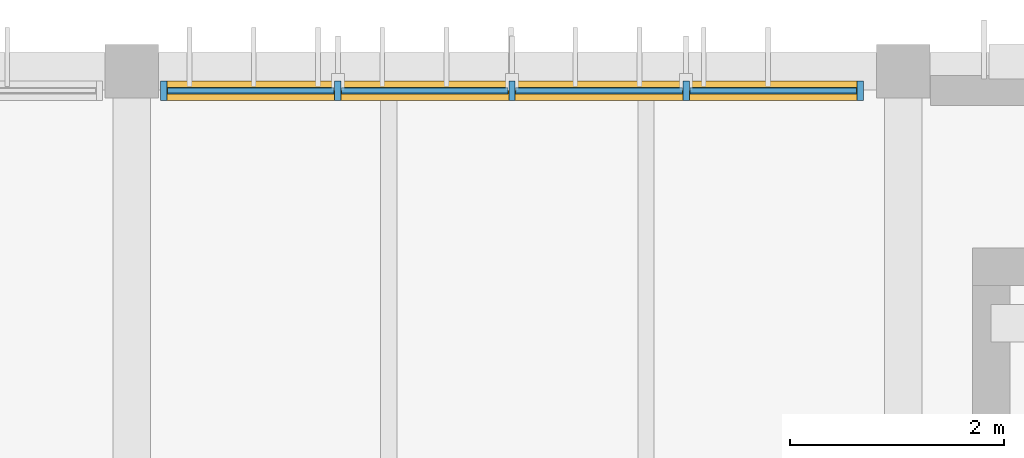
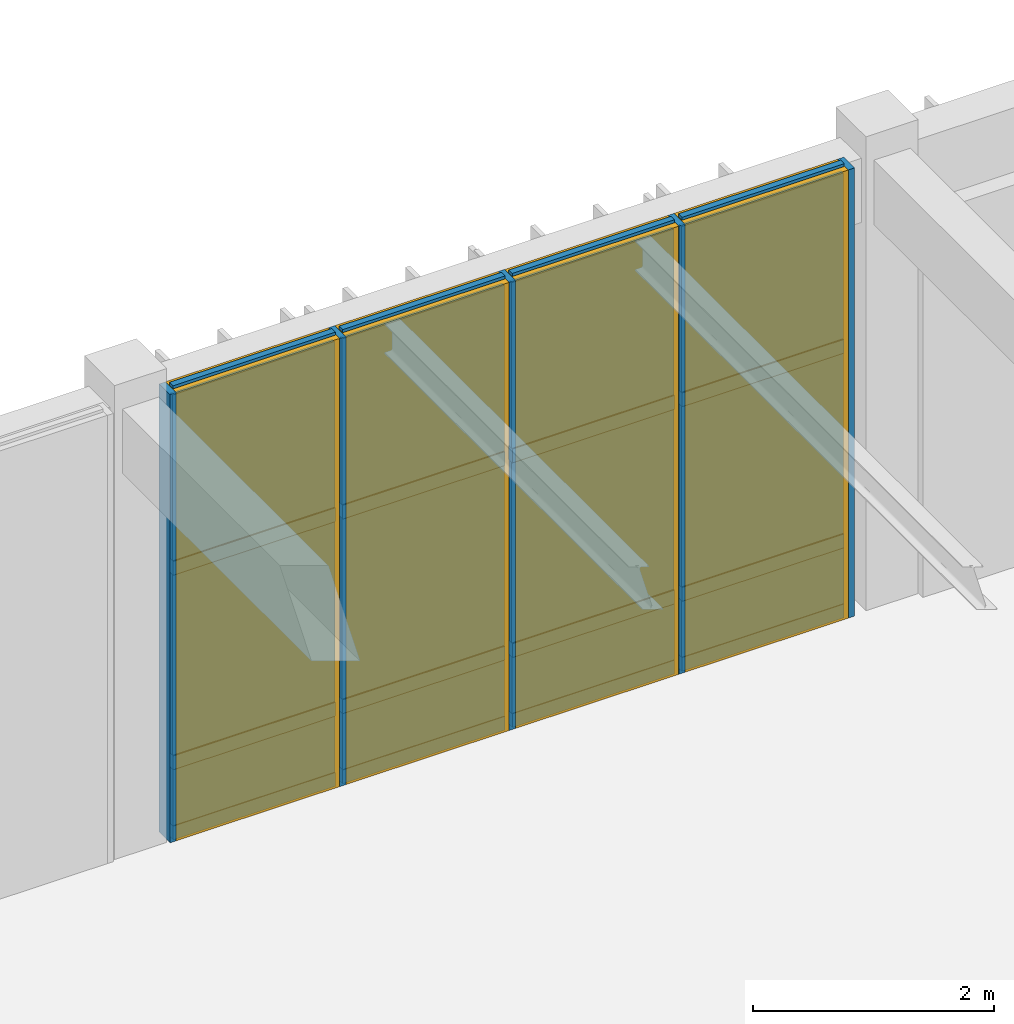
# One storey, part 97 of 122: 21 members, 12 plates, 1 curtain wall.
"""IFC4 building model written with IfcOpenShell, lengths in metres."""

from ifc_helpers import new_model, si_unit, direction, frame, frame_2d, origin, origin_2d, place, context, subcontext, project, spatial, rectangle, extrude, material, layer, layer_set, material_profile, profile_set, type_object, element, aggregate, save


model = new_model("IFC4")

# Units and contexts
model_context = context("Model", 3, precision=1e-05, world=origin(), true_north=direction((0.0, 1.0)))
body_context = subcontext(model_context, "Body", "Model", "MODEL_VIEW")
ifc_project = project(units=[si_unit("LENGTHUNIT", "METRE"), si_unit("AREAUNIT", "SQUARE_METRE"), si_unit("VOLUMEUNIT", "CUBIC_METRE"), si_unit("PLANEANGLEUNIT", "RADIAN"), si_unit("MASSUNIT", "GRAM", prefix="KILO")], contexts=[model_context])

# Member
ifc_material_1 = material(Name="Anodised Bronze Aluminium 6063-T6", Category="aluminium")
ifc_material_profile_1 = material_profile(ifc_material_1, rectangle(XDim=0.06005859375, YDim=0.179931640625, at=origin_2d()), Name="ALU MULLION 60x180")
ifc_profile_set_1 = profile_set([ifc_material_profile_1], Name="Anodised Bronze Aluminium 6063-T6")
member_type_1 = type_object("IfcMemberType", Name="Curtain-Wall Primary Mullion 60x180", PredefinedType="MULLION", material=ifc_profile_set_1)
site_placement = place(None, origin())
building_placement = place(site_placement, origin())
storey_placement = place(building_placement, origin())
member_1_placement = place(storey_placement, frame((110.10009765625, 111.6201171875, 0.0), z_axis=(0.0, 0.0, 1.0), x_axis=(1.0, 0.0, 0.0)))
member_1 = element("IfcMember", 1, at=member_1_placement, type_object=member_type_1, Name="Mullion CWM-01 CW-V3-N1-L00-B2-M01", PredefinedType="MULLION", context=body_context, shape_type="SweptSolid", body=[
    extrude(rectangle(XDim=0.06005859375, YDim=0.179931640625, at=origin_2d()), origin(), (0.0, 0.0, 1.0), 4.5400390625),
])

member_2_placement = place(storey_placement, frame((111.72509765625, 111.6201171875, 0.0), z_axis=(0.0, 0.0, 1.0), x_axis=(1.0, 0.0, 0.0)))
member_2 = element("IfcMember", 2, at=member_2_placement, type_object=member_type_1, Name="Mullion CWM-01 CW-V3-N1-L00-B2-M02", PredefinedType="MULLION", context=body_context, shape_type="SweptSolid", body=[
    extrude(rectangle(XDim=0.06005859375, YDim=0.179931640625, at=origin_2d()), origin(), (0.0, 0.0, 1.0), 4.5400390625),
])

member_3_placement = place(storey_placement, frame((113.35009765625, 111.6201171875, 0.0), z_axis=(0.0, 0.0, 1.0), x_axis=(1.0, 0.0, 0.0)))
member_3 = element("IfcMember", 3, at=member_3_placement, type_object=member_type_1, Name="Mullion CWM-01 CW-V3-N1-L00-B2-M03", PredefinedType="MULLION", context=body_context, shape_type="SweptSolid", body=[
    extrude(rectangle(XDim=0.06005859375, YDim=0.179931640625, at=origin_2d()), origin(), (0.0, 0.0, 1.0), 4.5400390625),
])

member_4_placement = place(storey_placement, frame((114.97509765625, 111.6201171875, 0.0), z_axis=(0.0, 0.0, 1.0), x_axis=(1.0, 0.0, 0.0)))
member_4 = element("IfcMember", 4, at=member_4_placement, type_object=member_type_1, Name="Mullion CWM-01 CW-V3-N1-L00-B2-M04", PredefinedType="MULLION", context=body_context, shape_type="SweptSolid", body=[
    extrude(rectangle(XDim=0.06005859375, YDim=0.179931640625, at=origin_2d()), origin(), (0.0, 0.0, 1.0), 4.5400390625),
])

member_5_placement = place(storey_placement, frame((116.60009765625, 111.6201171875, 0.0), z_axis=(0.0, 0.0, 1.0), x_axis=(1.0, 0.0, 0.0)))
member_5 = element("IfcMember", 5, at=member_5_placement, type_object=member_type_1, Name="Mullion CWM-01 CW-V3-N1-L00-B2-M05", PredefinedType="MULLION", context=body_context, shape_type="SweptSolid", body=[
    extrude(rectangle(XDim=0.06005859375, YDim=0.179931640625, at=origin_2d()), origin(), (0.0, 0.0, 1.0), 4.5400390625),
])

ifc_material_profile_2 = material_profile(ifc_material_1, rectangle(XDim=0.06005859375, YDim=0.139892578125, at=origin_2d()), Name="ALU TRANSOM 60x140")
ifc_profile_set_2 = profile_set([ifc_material_profile_2], Name="Anodised Bronze Aluminium 6063-T6")
member_type_2 = type_object("IfcMemberType", Name="Curtain-Wall Transom 60x140", PredefinedType="USERDEFINED", material=ifc_profile_set_2)
member_6_placement = place(storey_placement, frame((110.135009765625, 111.6201171875, 0.0400390625), z_axis=(1.0, 0.0, 0.0), x_axis=(0.0, 1.0, 0.0)))
member_6 = element("IfcMember", 6, at=member_6_placement, type_object=member_type_2, Name="Transom CWT-01 CW-V3-N1-L00-B2-T01.1", ObjectType="TRANSOM", PredefinedType="USERDEFINED", context=body_context, shape_type="SweptSolid", body=[
    extrude(rectangle(XDim=0.06005859375, YDim=0.139892578125, at=origin_2d()), origin(), (0.0, 0.0, 1.0), 1.554931640625),
])

member_7_placement = place(storey_placement, frame((110.135009765625, 111.6201171875, 0.75), z_axis=(1.0, 0.0, 0.0), x_axis=(0.0, 1.0, 0.0)))
member_7 = element("IfcMember", 7, at=member_7_placement, type_object=member_type_2, Name="Transom CWT-01 CW-V3-N1-L00-B2-T01.2", ObjectType="TRANSOM", PredefinedType="USERDEFINED", context=body_context, shape_type="SweptSolid", body=[
    extrude(rectangle(XDim=0.06005859375, YDim=0.139892578125, at=origin_2d()), origin(), (0.0, 0.0, 1.0), 1.554931640625),
])

member_8_placement = place(storey_placement, frame((110.135009765625, 111.6201171875, 2.720703125), z_axis=(1.0, 0.0, 0.0), x_axis=(0.0, 1.0, 0.0)))
member_8 = element("IfcMember", 8, at=member_8_placement, type_object=member_type_2, Name="Transom CWT-01 CW-V3-N1-L00-B2-T01.3", ObjectType="TRANSOM", PredefinedType="USERDEFINED", context=body_context, shape_type="SweptSolid", body=[
    extrude(rectangle(XDim=0.06005859375, YDim=0.139892578125, at=origin_2d()), origin(), (0.0, 0.0, 1.0), 1.554931640625),
])

member_9_placement = place(storey_placement, frame((110.135009765625, 111.6201171875, 4.5), z_axis=(1.0, 0.0, 0.0), x_axis=(0.0, 1.0, 0.0)))
member_9 = element("IfcMember", 9, at=member_9_placement, type_object=member_type_2, Name="Transom CWT-01 CW-V3-N1-L00-B2-T01.4", ObjectType="TRANSOM", PredefinedType="USERDEFINED", context=body_context, shape_type="SweptSolid", body=[
    extrude(rectangle(XDim=0.06005859375, YDim=0.139892578125, at=origin_2d()), origin(), (0.0, 0.0, 1.0), 1.554931640625),
])

member_10_placement = place(storey_placement, frame((111.760009765625, 111.6201171875, 0.0400390625), z_axis=(1.0, 0.0, 0.0), x_axis=(0.0, 1.0, 0.0)))
member_10 = element("IfcMember", 10, at=member_10_placement, type_object=member_type_2, Name="Transom CWT-01 CW-V3-N1-L00-B2-T02.1", ObjectType="TRANSOM", PredefinedType="USERDEFINED", context=body_context, shape_type="SweptSolid", body=[
    extrude(rectangle(XDim=0.06005859375, YDim=0.139892578125, at=origin_2d()), origin(), (0.0, 0.0, 1.0), 1.554931640625),
])

member_11_placement = place(storey_placement, frame((111.760009765625, 111.6201171875, 0.75), z_axis=(1.0, 0.0, 0.0), x_axis=(0.0, 1.0, 0.0)))
member_11 = element("IfcMember", 11, at=member_11_placement, type_object=member_type_2, Name="Transom CWT-01 CW-V3-N1-L00-B2-T02.2", ObjectType="TRANSOM", PredefinedType="USERDEFINED", context=body_context, shape_type="SweptSolid", body=[
    extrude(rectangle(XDim=0.06005859375, YDim=0.139892578125, at=origin_2d()), origin(), (0.0, 0.0, 1.0), 1.554931640625),
])

member_12_placement = place(storey_placement, frame((111.760009765625, 111.6201171875, 2.720703125), z_axis=(1.0, 0.0, 0.0), x_axis=(0.0, 1.0, 0.0)))
member_12 = element("IfcMember", 12, at=member_12_placement, type_object=member_type_2, Name="Transom CWT-01 CW-V3-N1-L00-B2-T02.3", ObjectType="TRANSOM", PredefinedType="USERDEFINED", context=body_context, shape_type="SweptSolid", body=[
    extrude(rectangle(XDim=0.06005859375, YDim=0.139892578125, at=origin_2d()), origin(), (0.0, 0.0, 1.0), 1.554931640625),
])

member_13_placement = place(storey_placement, frame((111.760009765625, 111.6201171875, 4.5), z_axis=(1.0, 0.0, 0.0), x_axis=(0.0, 1.0, 0.0)))
member_13 = element("IfcMember", 13, at=member_13_placement, type_object=member_type_2, Name="Transom CWT-01 CW-V3-N1-L00-B2-T02.4", ObjectType="TRANSOM", PredefinedType="USERDEFINED", context=body_context, shape_type="SweptSolid", body=[
    extrude(rectangle(XDim=0.06005859375, YDim=0.139892578125, at=origin_2d()), origin(), (0.0, 0.0, 1.0), 1.554931640625),
])

member_14_placement = place(storey_placement, frame((113.385009765625, 111.6201171875, 0.0400390625), z_axis=(1.0, 0.0, 0.0), x_axis=(0.0, 1.0, 0.0)))
member_14 = element("IfcMember", 14, at=member_14_placement, type_object=member_type_2, Name="Transom CWT-01 CW-V3-N1-L00-B2-T03.1", ObjectType="TRANSOM", PredefinedType="USERDEFINED", context=body_context, shape_type="SweptSolid", body=[
    extrude(rectangle(XDim=0.06005859375, YDim=0.139892578125, at=origin_2d()), origin(), (0.0, 0.0, 1.0), 1.554931640625),
])

member_15_placement = place(storey_placement, frame((113.385009765625, 111.6201171875, 0.75), z_axis=(1.0, 0.0, 0.0), x_axis=(0.0, 1.0, 0.0)))
member_15 = element("IfcMember", 15, at=member_15_placement, type_object=member_type_2, Name="Transom CWT-01 CW-V3-N1-L00-B2-T03.2", ObjectType="TRANSOM", PredefinedType="USERDEFINED", context=body_context, shape_type="SweptSolid", body=[
    extrude(rectangle(XDim=0.06005859375, YDim=0.139892578125, at=origin_2d()), origin(), (0.0, 0.0, 1.0), 1.554931640625),
])

member_16_placement = place(storey_placement, frame((113.385009765625, 111.6201171875, 2.720703125), z_axis=(1.0, 0.0, 0.0), x_axis=(0.0, 1.0, 0.0)))
member_16 = element("IfcMember", 16, at=member_16_placement, type_object=member_type_2, Name="Transom CWT-01 CW-V3-N1-L00-B2-T03.3", ObjectType="TRANSOM", PredefinedType="USERDEFINED", context=body_context, shape_type="SweptSolid", body=[
    extrude(rectangle(XDim=0.06005859375, YDim=0.139892578125, at=origin_2d()), origin(), (0.0, 0.0, 1.0), 1.554931640625),
])

member_17_placement = place(storey_placement, frame((113.385009765625, 111.6201171875, 4.5), z_axis=(1.0, 0.0, 0.0), x_axis=(0.0, 1.0, 0.0)))
member_17 = element("IfcMember", 17, at=member_17_placement, type_object=member_type_2, Name="Transom CWT-01 CW-V3-N1-L00-B2-T03.4", ObjectType="TRANSOM", PredefinedType="USERDEFINED", context=body_context, shape_type="SweptSolid", body=[
    extrude(rectangle(XDim=0.06005859375, YDim=0.139892578125, at=origin_2d()), origin(), (0.0, 0.0, 1.0), 1.554931640625),
])

member_18_placement = place(storey_placement, frame((115.010009765625, 111.6201171875, 0.0400390625), z_axis=(1.0, 0.0, 0.0), x_axis=(0.0, 1.0, 0.0)))
member_18 = element("IfcMember", 18, at=member_18_placement, type_object=member_type_2, Name="Transom CWT-01 CW-V3-N1-L00-B2-T04.1", ObjectType="TRANSOM", PredefinedType="USERDEFINED", context=body_context, shape_type="SweptSolid", body=[
    extrude(rectangle(XDim=0.06005859375, YDim=0.139892578125, at=origin_2d()), origin(), (0.0, 0.0, 1.0), 1.554931640625),
])

member_19_placement = place(storey_placement, frame((115.010009765625, 111.6201171875, 0.75), z_axis=(1.0, 0.0, 0.0), x_axis=(0.0, 1.0, 0.0)))
member_19 = element("IfcMember", 19, at=member_19_placement, type_object=member_type_2, Name="Transom CWT-01 CW-V3-N1-L00-B2-T04.2", ObjectType="TRANSOM", PredefinedType="USERDEFINED", context=body_context, shape_type="SweptSolid", body=[
    extrude(rectangle(XDim=0.06005859375, YDim=0.139892578125, at=origin_2d()), origin(), (0.0, 0.0, 1.0), 1.554931640625),
])

member_20_placement = place(storey_placement, frame((115.010009765625, 111.6201171875, 2.720703125), z_axis=(1.0, 0.0, 0.0), x_axis=(0.0, 1.0, 0.0)))
member_20 = element("IfcMember", 20, at=member_20_placement, type_object=member_type_2, Name="Transom CWT-01 CW-V3-N1-L00-B2-T04.3", ObjectType="TRANSOM", PredefinedType="USERDEFINED", context=body_context, shape_type="SweptSolid", body=[
    extrude(rectangle(XDim=0.06005859375, YDim=0.139892578125, at=origin_2d()), origin(), (0.0, 0.0, 1.0), 1.554931640625),
])

member_21_placement = place(storey_placement, frame((115.010009765625, 111.6201171875, 4.5), z_axis=(1.0, 0.0, 0.0), x_axis=(0.0, 1.0, 0.0)))
member_21 = element("IfcMember", 21, at=member_21_placement, type_object=member_type_2, Name="Transom CWT-01 CW-V3-N1-L00-B2-T04.4", ObjectType="TRANSOM", PredefinedType="USERDEFINED", context=body_context, shape_type="SweptSolid", body=[
    extrude(rectangle(XDim=0.06005859375, YDim=0.139892578125, at=origin_2d()), origin(), (0.0, 0.0, 1.0), 1.554931640625),
])

# Plate
ifc_material_2 = material(Name="Insulated Bronze Aluminium Spandrel Panel", Category="aluminium")
ifc_layer_1 = layer(ifc_material_2, 0.050048828125, Name="Insulated Bronze Aluminium Spandrel Panel")
ifc_layer_set_1 = layer_set([ifc_layer_1], Name="Insulated Bronze Aluminium Spandrel Panel")
plate_type_1 = type_object("IfcPlateType", Name="Insulated Anodised Aluminium Spandrel Cassette 50", PredefinedType="CURTAIN_PANEL", material=ifc_layer_set_1)
plate_1_placement = place(storey_placement, frame((110.91259765625, 111.6201171875, 0.070068359375), z_axis=(0.0, 0.0, 1.0), x_axis=(1.0, 0.0, 0.0)))
plate_1 = element("IfcPlate", 22, at=plate_1_placement, type_object=plate_type_1, Name="Curtain Panel CWP-03 CW-V3-N1-L00-B2-P01.1", PredefinedType="CURTAIN_PANEL", context=body_context, shape_type="SweptSolid", body=[
    extrude(rectangle(XDim=1.554931640625, YDim=0.050048828125, at=origin_2d()), origin(), (0.0, 0.0, 1.0), 0.64990234375),
])

plate_2_placement = place(storey_placement, frame((112.53759765625, 111.6201171875, 0.070068359375), z_axis=(0.0, 0.0, 1.0), x_axis=(1.0, 0.0, 0.0)))
plate_2 = element("IfcPlate", 23, at=plate_2_placement, type_object=plate_type_1, Name="Curtain Panel CWP-03 CW-V3-N1-L00-B2-P02.1", PredefinedType="CURTAIN_PANEL", context=body_context, shape_type="SweptSolid", body=[
    extrude(rectangle(XDim=1.554931640625, YDim=0.050048828125, at=origin_2d()), origin(), (0.0, 0.0, 1.0), 0.64990234375),
])

plate_3_placement = place(storey_placement, frame((114.16259765625, 111.6201171875, 0.070068359375), z_axis=(0.0, 0.0, 1.0), x_axis=(1.0, 0.0, 0.0)))
plate_3 = element("IfcPlate", 24, at=plate_3_placement, type_object=plate_type_1, Name="Curtain Panel CWP-03 CW-V3-N1-L00-B2-P03.1", PredefinedType="CURTAIN_PANEL", context=body_context, shape_type="SweptSolid", body=[
    extrude(rectangle(XDim=1.554931640625, YDim=0.050048828125, at=origin_2d()), origin(), (0.0, 0.0, 1.0), 0.64990234375),
])

plate_4_placement = place(storey_placement, frame((115.78759765625, 111.6201171875, 0.070068359375), z_axis=(0.0, 0.0, 1.0), x_axis=(1.0, 0.0, 0.0)))
plate_4 = element("IfcPlate", 25, at=plate_4_placement, type_object=plate_type_1, Name="Curtain Panel CWP-03 CW-V3-N1-L00-B2-P04.1", PredefinedType="CURTAIN_PANEL", context=body_context, shape_type="SweptSolid", body=[
    extrude(rectangle(XDim=1.554931640625, YDim=0.050048828125, at=origin_2d()), origin(), (0.0, 0.0, 1.0), 0.64990234375),
])

ifc_material_3 = material(Name="Solar-Control Tempered Double Glazing", Category="glass")
ifc_layer_2 = layer(ifc_material_3, 0.0380859375, Name="Solar-Control Tempered Double Glazing")
ifc_layer_set_2 = layer_set([ifc_layer_2], Name="Solar-Control Tempered Double Glazing")
plate_type_2 = type_object("IfcPlateType", Name="Solar-Control Vision Glazing Unit 38", PredefinedType="CURTAIN_PANEL", material=ifc_layer_set_2)
plate_5_placement = place(storey_placement, frame((110.91259765625, 111.6201171875, 0.77978515625), z_axis=(0.0, 0.0, 1.0), x_axis=(1.0, 0.0, 0.0)))
plate_5 = element("IfcPlate", 26, at=plate_5_placement, type_object=plate_type_2, Name="Curtain Panel CWP-02 CW-V3-N1-L00-B2-P01.2", PredefinedType="CURTAIN_PANEL", context=body_context, shape_type="SweptSolid", body=[
    extrude(rectangle(XDim=1.554931640625, YDim=0.0380859375, at=origin_2d()), origin(), (0.0, 0.0, 1.0), 1.910888671875),
])

plate_6_placement = place(storey_placement, frame((110.91259765625, 111.6201171875, 2.750732421875), z_axis=(0.0, 0.0, 1.0), x_axis=(1.0, 0.0, 0.0)))
plate_6 = element("IfcPlate", 27, at=plate_6_placement, type_object=plate_type_2, Name="Curtain Panel CWP-02 CW-V3-N1-L00-B2-P01.3", PredefinedType="CURTAIN_PANEL", context=body_context, shape_type="SweptSolid", body=[
    extrude(rectangle(XDim=1.554931640625, YDim=0.0380859375, at=origin_2d()), origin(), (0.0, 0.0, 1.0), 1.71923828125),
])

plate_7_placement = place(storey_placement, frame((112.53759765625, 111.6201171875, 0.77978515625), z_axis=(0.0, 0.0, 1.0), x_axis=(1.0, 0.0, 0.0)))
plate_7 = element("IfcPlate", 28, at=plate_7_placement, type_object=plate_type_2, Name="Curtain Panel CWP-02 CW-V3-N1-L00-B2-P02.2", PredefinedType="CURTAIN_PANEL", context=body_context, shape_type="SweptSolid", body=[
    extrude(rectangle(XDim=1.554931640625, YDim=0.0380859375, at=origin_2d()), origin(), (0.0, 0.0, 1.0), 1.910888671875),
])

plate_8_placement = place(storey_placement, frame((112.53759765625, 111.6201171875, 2.750732421875), z_axis=(0.0, 0.0, 1.0), x_axis=(1.0, 0.0, 0.0)))
plate_8 = element("IfcPlate", 29, at=plate_8_placement, type_object=plate_type_2, Name="Curtain Panel CWP-02 CW-V3-N1-L00-B2-P02.3", PredefinedType="CURTAIN_PANEL", context=body_context, shape_type="SweptSolid", body=[
    extrude(rectangle(XDim=1.554931640625, YDim=0.0380859375, at=origin_2d()), origin(), (0.0, 0.0, 1.0), 1.71923828125),
])

plate_9_placement = place(storey_placement, frame((114.16259765625, 111.6201171875, 0.77978515625), z_axis=(0.0, 0.0, 1.0), x_axis=(1.0, 0.0, 0.0)))
plate_9 = element("IfcPlate", 30, at=plate_9_placement, type_object=plate_type_2, Name="Curtain Panel CWP-02 CW-V3-N1-L00-B2-P03.2", PredefinedType="CURTAIN_PANEL", context=body_context, shape_type="SweptSolid", body=[
    extrude(rectangle(XDim=1.554931640625, YDim=0.0380859375, at=origin_2d()), origin(), (0.0, 0.0, 1.0), 1.910888671875),
])

plate_10_placement = place(storey_placement, frame((114.16259765625, 111.6201171875, 2.750732421875), z_axis=(0.0, 0.0, 1.0), x_axis=(1.0, 0.0, 0.0)))
plate_10 = element("IfcPlate", 31, at=plate_10_placement, type_object=plate_type_2, Name="Curtain Panel CWP-02 CW-V3-N1-L00-B2-P03.3", PredefinedType="CURTAIN_PANEL", context=body_context, shape_type="SweptSolid", body=[
    extrude(rectangle(XDim=1.554931640625, YDim=0.0380859375, at=origin_2d()), origin(), (0.0, 0.0, 1.0), 1.71923828125),
])

plate_11_placement = place(storey_placement, frame((115.78759765625, 111.6201171875, 0.77978515625), z_axis=(0.0, 0.0, 1.0), x_axis=(1.0, 0.0, 0.0)))
plate_11 = element("IfcPlate", 32, at=plate_11_placement, type_object=plate_type_2, Name="Curtain Panel CWP-02 CW-V3-N1-L00-B2-P04.2", PredefinedType="CURTAIN_PANEL", context=body_context, shape_type="SweptSolid", body=[
    extrude(rectangle(XDim=1.554931640625, YDim=0.0380859375, at=origin_2d()), origin(), (0.0, 0.0, 1.0), 1.910888671875),
])

plate_12_placement = place(storey_placement, frame((115.78759765625, 111.6201171875, 2.750732421875), z_axis=(0.0, 0.0, 1.0), x_axis=(1.0, 0.0, 0.0)))
plate_12 = element("IfcPlate", 33, at=plate_12_placement, type_object=plate_type_2, Name="Curtain Panel CWP-02 CW-V3-N1-L00-B2-P04.3", PredefinedType="CURTAIN_PANEL", context=body_context, shape_type="SweptSolid", body=[
    extrude(rectangle(XDim=1.554931640625, YDim=0.0380859375, at=origin_2d()), origin(), (0.0, 0.0, 1.0), 1.71923828125),
])

# Site, building, storey
site = spatial("IfcSite", under=ifc_project, at=site_placement, CompositionType="ELEMENT")
building = spatial("IfcBuilding", under=site, at=building_placement, Name="Tazoul Stagehouse", CompositionType="ELEMENT")
storey = spatial("IfcBuildingStorey", under=building, at=storey_placement, Name="L00", CompositionType="ELEMENT", Elevation=0.0)

# Curtain wall
curtain_wall_type = type_object("IfcCurtainWallType", Name="Rehearsal North Daylight Curtain Wall", PredefinedType="NOTDEFINED", material=ifc_material_1)
curtain_wall_placement = place(storey_placement, frame((110.10009765625, 111.6201171875, 0.0), z_axis=(0.0, 0.0, 1.0), x_axis=(1.0, 0.0, 0.0)))
curtain_wall = element("IfcCurtainWall", 34, at=curtain_wall_placement, inside=storey, type_object=curtain_wall_type, Name="L00 Curtain Wall CW-04 (CW-V3-N1-L00-B2)", PredefinedType="NOTDEFINED", context=body_context, shape_type="SweptSolid", body=[
    extrude(rectangle(XDim=6.5, YDim=0.179931640625, at=frame_2d((3.25, 0.0))), origin(), (0.0, 0.0, 1.0), 4.5400390625),
])

aggregate(curtain_wall, [member_1, member_2, member_3, member_4, member_5, member_6, member_7, member_8, member_9, plate_1, plate_5, plate_6, member_10, member_11, member_12, member_13, plate_2, plate_7, plate_8, member_14, member_15, member_16, member_17, plate_3, plate_9, plate_10, member_18, member_19, member_20, member_21, plate_4, plate_11, plate_12])

save(model, "model.ifc")
